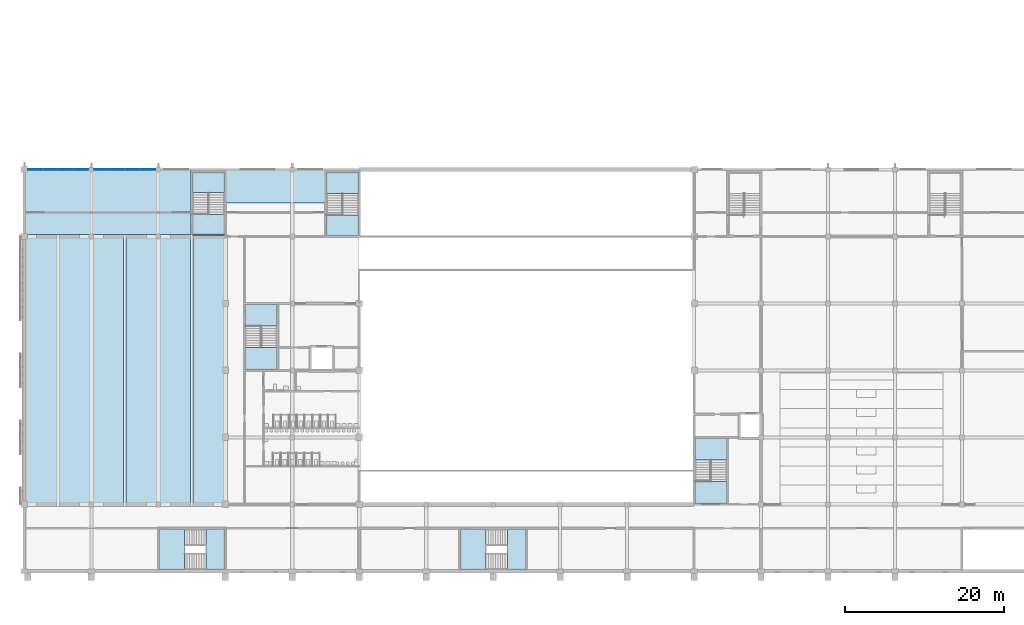
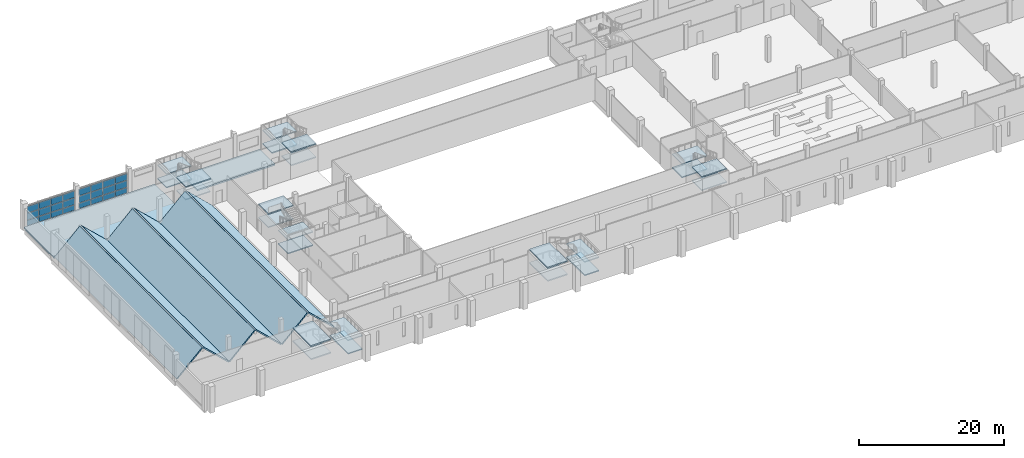
# One storey, part 11 of 56: 32 slabs, 24 plates, 8 elements without a shape of their own.
"""IFC4 building model written with IfcOpenShell, lengths in metres."""

from ifc_helpers import new_model, si_unit, direction, frame, origin, origin_2d, place, context, subcontext, project, spatial, polyline, rectangle, outline, extrude, material, layer, layer_set, type_object, element, aggregate, save


model = new_model("IFC4")

# Units and contexts
model_context = context("Model", 3, precision=1e-05, world=origin(), true_north=direction((0.0, 1.0)))
body_context = subcontext(model_context, "Body", "Model", "MODEL_VIEW")
ifc_project = project(units=[si_unit("LENGTHUNIT", "METRE"), si_unit("AREAUNIT", "SQUARE_METRE"), si_unit("VOLUMEUNIT", "CUBIC_METRE"), si_unit("PLANEANGLEUNIT", "RADIAN"), si_unit("MASSUNIT", "GRAM", prefix="KILO")], contexts=[model_context])

# Site, building, storey
site_placement = place(None, origin())
site = spatial("IfcSite", under=ifc_project, at=site_placement, CompositionType="ELEMENT")
building_placement = place(site_placement, origin())
building = spatial("IfcBuilding", under=site, at=building_placement, Name="Rulbaag Community and Learning Centre", CompositionType="ELEMENT")
storey_placement = place(building_placement, frame((0.0, 0.0, 9.89990234375)))
storey = spatial("IfcBuildingStorey", under=building, at=storey_placement, Name="L02", CompositionType="ELEMENT", Elevation=9.89990234375)

# Curtain wall, plates
ifc_material_1 = material(Name="Aluminium", Category="aluminium")
ifc_layer_1 = layer(ifc_material_1, 0.14990234375)
ifc_layer_set_1 = layer_set([ifc_layer_1], Name="CW-L")
curtain_wall_type = type_object("IfcCurtainWallType", Name="CW-L", PredefinedType="USERDEFINED", material=ifc_layer_set_1)
curtain_wall_1_placement = place(storey_placement, origin())
curtain_wall_1 = element("IfcCurtainWall", 1, at=curtain_wall_1_placement, inside=storey, type_object=curtain_wall_type, Name="GL-L02-01", ObjectType="STICK CURTAIN WALL", PredefinedType="USERDEFINED")
ifc_layer_2 = layer(ifc_material_1, 0.050048828125)
ifc_layer_set_2 = layer_set([ifc_layer_2], Name="CW-L-SPN")
plate_type_1 = type_object("IfcPlateType", Name="CW-L-SPN", PredefinedType="CURTAIN_PANEL", material=ifc_layer_set_2)
plate_1_placement = place(storey_placement, frame((1.378662109375, 50.39990234375, 0.06494140625), z_axis=(0.0, 0.0, 1.0), x_axis=(1.0, 0.0, 0.0)))
plate_1 = element("IfcPlate", 2, at=plate_1_placement, type_object=plate_type_1, Name="GL spandrel panel", PredefinedType="CURTAIN_PANEL", context=body_context, shape_type="SweptSolid", body=[
    extrude(rectangle(XDim=1.827392578125, YDim=0.050048828125, at=origin_2d()), origin(), (0.0, 0.0, 1.0), 0.902587890625),
])
plate_2_placement = place(storey_placement, frame((1.378662109375, 50.39990234375, 2.232666015625), z_axis=(0.0, 0.0, 1.0), x_axis=(1.0, 0.0, 0.0)))
plate_2 = element("IfcPlate", 3, at=plate_2_placement, type_object=plate_type_1, Name="GL spandrel panel", PredefinedType="CURTAIN_PANEL", context=body_context, shape_type="SweptSolid", body=[
    extrude(rectangle(XDim=1.827392578125, YDim=0.050048828125, at=origin_2d()), origin(), (0.0, 0.0, 1.0), 1.1025390625),
])
plate_3_placement = place(storey_placement, frame((3.28759765625, 50.39990234375, 0.06494140625), z_axis=(0.0, 0.0, 1.0), x_axis=(1.0, 0.0, 0.0)))
plate_3 = element("IfcPlate", 4, at=plate_3_placement, type_object=plate_type_1, Name="GL spandrel panel", PredefinedType="CURTAIN_PANEL", context=body_context, shape_type="SweptSolid", body=[
    extrude(rectangle(XDim=1.860107421875, YDim=0.050048828125, at=origin_2d()), origin(), (0.0, 0.0, 1.0), 0.902587890625),
])
plate_4_placement = place(storey_placement, frame((3.28759765625, 50.39990234375, 2.232666015625), z_axis=(0.0, 0.0, 1.0), x_axis=(1.0, 0.0, 0.0)))
plate_4 = element("IfcPlate", 5, at=plate_4_placement, type_object=plate_type_1, Name="GL spandrel panel", PredefinedType="CURTAIN_PANEL", context=body_context, shape_type="SweptSolid", body=[
    extrude(rectangle(XDim=1.860107421875, YDim=0.050048828125, at=origin_2d()), origin(), (0.0, 0.0, 1.0), 1.1025390625),
])
plate_5_placement = place(storey_placement, frame((5.21240234375, 50.39990234375, 0.06494140625), z_axis=(0.0, 0.0, 1.0), x_axis=(1.0, 0.0, 0.0)))
plate_5 = element("IfcPlate", 6, at=plate_5_placement, type_object=plate_type_1, Name="GL spandrel panel", PredefinedType="CURTAIN_PANEL", context=body_context, shape_type="SweptSolid", body=[
    extrude(rectangle(XDim=1.860107421875, YDim=0.050048828125, at=origin_2d()), origin(), (0.0, 0.0, 1.0), 0.902587890625),
])
plate_6_placement = place(storey_placement, frame((5.21240234375, 50.39990234375, 2.232666015625), z_axis=(0.0, 0.0, 1.0), x_axis=(1.0, 0.0, 0.0)))
plate_6 = element("IfcPlate", 7, at=plate_6_placement, type_object=plate_type_1, Name="GL spandrel panel", PredefinedType="CURTAIN_PANEL", context=body_context, shape_type="SweptSolid", body=[
    extrude(rectangle(XDim=1.860107421875, YDim=0.050048828125, at=origin_2d()), origin(), (0.0, 0.0, 1.0), 1.1025390625),
])
plate_7_placement = place(storey_placement, frame((7.121337890625, 50.39990234375, 0.06494140625), z_axis=(0.0, 0.0, 1.0), x_axis=(1.0, 0.0, 0.0)))
plate_7 = element("IfcPlate", 8, at=plate_7_placement, type_object=plate_type_1, Name="GL spandrel panel", PredefinedType="CURTAIN_PANEL", context=body_context, shape_type="SweptSolid", body=[
    extrude(rectangle(XDim=1.827392578125, YDim=0.050048828125, at=origin_2d()), origin(), (0.0, 0.0, 1.0), 0.902587890625),
])
plate_8_placement = place(storey_placement, frame((7.121337890625, 50.39990234375, 2.232666015625), z_axis=(0.0, 0.0, 1.0), x_axis=(1.0, 0.0, 0.0)))
plate_8 = element("IfcPlate", 9, at=plate_8_placement, type_object=plate_type_1, Name="GL spandrel panel", PredefinedType="CURTAIN_PANEL", context=body_context, shape_type="SweptSolid", body=[
    extrude(rectangle(XDim=1.827392578125, YDim=0.050048828125, at=origin_2d()), origin(), (0.0, 0.0, 1.0), 1.1025390625),
])

curtain_wall_2_placement = place(storey_placement, origin())
curtain_wall_2 = element("IfcCurtainWall", 10, at=curtain_wall_2_placement, inside=storey, type_object=curtain_wall_type, Name="GL-L02-02", ObjectType="STICK CURTAIN WALL", PredefinedType="USERDEFINED")
plate_9_placement = place(storey_placement, frame((9.691162109375, 50.39990234375, 0.06494140625), z_axis=(0.0, 0.0, 1.0), x_axis=(1.0, 0.0, 0.0)))
plate_9 = element("IfcPlate", 11, at=plate_9_placement, type_object=plate_type_1, Name="GL spandrel panel", PredefinedType="CURTAIN_PANEL", context=body_context, shape_type="SweptSolid", body=[
    extrude(rectangle(XDim=1.8525390625, YDim=0.050048828125, at=origin_2d()), origin(), (0.0, 0.0, 1.0), 0.902587890625),
])
plate_10_placement = place(storey_placement, frame((9.691162109375, 50.39990234375, 2.232666015625), z_axis=(0.0, 0.0, 1.0), x_axis=(1.0, 0.0, 0.0)))
plate_10 = element("IfcPlate", 12, at=plate_10_placement, type_object=plate_type_1, Name="GL spandrel panel", PredefinedType="CURTAIN_PANEL", context=body_context, shape_type="SweptSolid", body=[
    extrude(rectangle(XDim=1.8525390625, YDim=0.050048828125, at=origin_2d()), origin(), (0.0, 0.0, 1.0), 1.1025390625),
])
plate_11_placement = place(storey_placement, frame((11.625, 50.39990234375, 0.06494140625), z_axis=(0.0, 0.0, 1.0), x_axis=(1.0, 0.0, 0.0)))
plate_11 = element("IfcPlate", 13, at=plate_11_placement, type_object=plate_type_1, Name="GL spandrel panel", PredefinedType="CURTAIN_PANEL", context=body_context, shape_type="SweptSolid", body=[
    extrude(rectangle(XDim=1.885009765625, YDim=0.050048828125, at=origin_2d()), origin(), (0.0, 0.0, 1.0), 0.902587890625),
])
plate_12_placement = place(storey_placement, frame((11.625, 50.39990234375, 2.232666015625), z_axis=(0.0, 0.0, 1.0), x_axis=(1.0, 0.0, 0.0)))
plate_12 = element("IfcPlate", 14, at=plate_12_placement, type_object=plate_type_1, Name="GL spandrel panel", PredefinedType="CURTAIN_PANEL", context=body_context, shape_type="SweptSolid", body=[
    extrude(rectangle(XDim=1.885009765625, YDim=0.050048828125, at=origin_2d()), origin(), (0.0, 0.0, 1.0), 1.1025390625),
])
plate_13_placement = place(storey_placement, frame((13.574951171875, 50.39990234375, 0.06494140625), z_axis=(0.0, 0.0, 1.0), x_axis=(1.0, 0.0, 0.0)))
plate_13 = element("IfcPlate", 15, at=plate_13_placement, type_object=plate_type_1, Name="GL spandrel panel", PredefinedType="CURTAIN_PANEL", context=body_context, shape_type="SweptSolid", body=[
    extrude(rectangle(XDim=1.885009765625, YDim=0.050048828125, at=origin_2d()), origin(), (0.0, 0.0, 1.0), 0.902587890625),
])
plate_14_placement = place(storey_placement, frame((13.574951171875, 50.39990234375, 2.232666015625), z_axis=(0.0, 0.0, 1.0), x_axis=(1.0, 0.0, 0.0)))
plate_14 = element("IfcPlate", 16, at=plate_14_placement, type_object=plate_type_1, Name="GL spandrel panel", PredefinedType="CURTAIN_PANEL", context=body_context, shape_type="SweptSolid", body=[
    extrude(rectangle(XDim=1.885009765625, YDim=0.050048828125, at=origin_2d()), origin(), (0.0, 0.0, 1.0), 1.1025390625),
])
plate_15_placement = place(storey_placement, frame((15.5087890625, 50.39990234375, 0.06494140625), z_axis=(0.0, 0.0, 1.0), x_axis=(1.0, 0.0, 0.0)))
plate_15 = element("IfcPlate", 17, at=plate_15_placement, type_object=plate_type_1, Name="GL spandrel panel", PredefinedType="CURTAIN_PANEL", context=body_context, shape_type="SweptSolid", body=[
    extrude(rectangle(XDim=1.8525390625, YDim=0.050048828125, at=origin_2d()), origin(), (0.0, 0.0, 1.0), 0.902587890625),
])
plate_16_placement = place(storey_placement, frame((15.5087890625, 50.39990234375, 2.232666015625), z_axis=(0.0, 0.0, 1.0), x_axis=(1.0, 0.0, 0.0)))
plate_16 = element("IfcPlate", 18, at=plate_16_placement, type_object=plate_type_1, Name="GL spandrel panel", PredefinedType="CURTAIN_PANEL", context=body_context, shape_type="SweptSolid", body=[
    extrude(rectangle(XDim=1.8525390625, YDim=0.050048828125, at=origin_2d()), origin(), (0.0, 0.0, 1.0), 1.1025390625),
])

# Plate
ifc_material_2 = material(Name="Glass", Category="glass")
ifc_layer_3 = layer(ifc_material_2, 0.031982421875)
ifc_layer_set_3 = layer_set([ifc_layer_3], Name="CW-L-VIS")
plate_type_2 = type_object("IfcPlateType", Name="CW-L-VIS", PredefinedType="CURTAIN_PANEL", material=ifc_layer_set_3)
plate_17_placement = place(storey_placement, frame((1.378662109375, 50.39990234375, 1.03271484375), z_axis=(0.0, 0.0, 1.0), x_axis=(1.0, 0.0, 0.0)))
plate_17 = element("IfcPlate", 19, at=plate_17_placement, type_object=plate_type_2, Name="GL vision panel", PredefinedType="CURTAIN_PANEL", context=body_context, shape_type="SweptSolid", body=[
    extrude(rectangle(XDim=1.827392578125, YDim=0.031982421875, at=origin_2d()), origin(), (0.0, 0.0, 1.0), 1.135009765625),
])

plate_18_placement = place(storey_placement, frame((3.28759765625, 50.39990234375, 1.03271484375), z_axis=(0.0, 0.0, 1.0), x_axis=(1.0, 0.0, 0.0)))
plate_18 = element("IfcPlate", 20, at=plate_18_placement, type_object=plate_type_2, Name="GL vision panel", PredefinedType="CURTAIN_PANEL", context=body_context, shape_type="SweptSolid", body=[
    extrude(rectangle(XDim=1.860107421875, YDim=0.031982421875, at=origin_2d()), origin(), (0.0, 0.0, 1.0), 1.135009765625),
])

plate_19_placement = place(storey_placement, frame((5.21240234375, 50.39990234375, 1.03271484375), z_axis=(0.0, 0.0, 1.0), x_axis=(1.0, 0.0, 0.0)))
plate_19 = element("IfcPlate", 21, at=plate_19_placement, type_object=plate_type_2, Name="GL vision panel", PredefinedType="CURTAIN_PANEL", context=body_context, shape_type="SweptSolid", body=[
    extrude(rectangle(XDim=1.860107421875, YDim=0.031982421875, at=origin_2d()), origin(), (0.0, 0.0, 1.0), 1.135009765625),
])

plate_20_placement = place(storey_placement, frame((7.121337890625, 50.39990234375, 1.03271484375), z_axis=(0.0, 0.0, 1.0), x_axis=(1.0, 0.0, 0.0)))
plate_20 = element("IfcPlate", 22, at=plate_20_placement, type_object=plate_type_2, Name="GL vision panel", PredefinedType="CURTAIN_PANEL", context=body_context, shape_type="SweptSolid", body=[
    extrude(rectangle(XDim=1.827392578125, YDim=0.031982421875, at=origin_2d()), origin(), (0.0, 0.0, 1.0), 1.135009765625),
])

aggregate(curtain_wall_1, [plate_1, plate_17, plate_2, plate_3, plate_18, plate_4, plate_5, plate_19, plate_6, plate_7, plate_20, plate_8])

plate_21_placement = place(storey_placement, frame((9.691162109375, 50.39990234375, 1.03271484375), z_axis=(0.0, 0.0, 1.0), x_axis=(1.0, 0.0, 0.0)))
plate_21 = element("IfcPlate", 23, at=plate_21_placement, type_object=plate_type_2, Name="GL vision panel", PredefinedType="CURTAIN_PANEL", context=body_context, shape_type="SweptSolid", body=[
    extrude(rectangle(XDim=1.8525390625, YDim=0.031982421875, at=origin_2d()), origin(), (0.0, 0.0, 1.0), 1.135009765625),
])

plate_22_placement = place(storey_placement, frame((11.625, 50.39990234375, 1.03271484375), z_axis=(0.0, 0.0, 1.0), x_axis=(1.0, 0.0, 0.0)))
plate_22 = element("IfcPlate", 24, at=plate_22_placement, type_object=plate_type_2, Name="GL vision panel", PredefinedType="CURTAIN_PANEL", context=body_context, shape_type="SweptSolid", body=[
    extrude(rectangle(XDim=1.885009765625, YDim=0.031982421875, at=origin_2d()), origin(), (0.0, 0.0, 1.0), 1.135009765625),
])

plate_23_placement = place(storey_placement, frame((13.574951171875, 50.39990234375, 1.03271484375), z_axis=(0.0, 0.0, 1.0), x_axis=(1.0, 0.0, 0.0)))
plate_23 = element("IfcPlate", 25, at=plate_23_placement, type_object=plate_type_2, Name="GL vision panel", PredefinedType="CURTAIN_PANEL", context=body_context, shape_type="SweptSolid", body=[
    extrude(rectangle(XDim=1.885009765625, YDim=0.031982421875, at=origin_2d()), origin(), (0.0, 0.0, 1.0), 1.135009765625),
])

plate_24_placement = place(storey_placement, frame((15.5087890625, 50.39990234375, 1.03271484375), z_axis=(0.0, 0.0, 1.0), x_axis=(1.0, 0.0, 0.0)))
plate_24 = element("IfcPlate", 26, at=plate_24_placement, type_object=plate_type_2, Name="GL vision panel", PredefinedType="CURTAIN_PANEL", context=body_context, shape_type="SweptSolid", body=[
    extrude(rectangle(XDim=1.8525390625, YDim=0.031982421875, at=origin_2d()), origin(), (0.0, 0.0, 1.0), 1.135009765625),
])

aggregate(curtain_wall_2, [plate_9, plate_21, plate_10, plate_11, plate_22, plate_12, plate_13, plate_23, plate_14, plate_15, plate_24, plate_16])

# Stair, slabs
ifc_material_3 = material(Name="Concrete M40", Category="concrete")
stair_type_1 = type_object("IfcStairType", Name="ST-2000 STAIR 2000 WIDE", PredefinedType="HALF_TURN_STAIR", material=ifc_material_3)
stair_1_placement = place(storey_placement, origin())
stair_1 = element("IfcStair", 27, at=stair_1_placement, inside=storey, type_object=stair_type_1, Name="Stair ST-H0 L02", PredefinedType="HALF_TURN_STAIR")
ifc_layer_4 = layer(ifc_material_3, 0.179931640625)
ifc_layer_set_4 = layer_set([ifc_layer_4], Name="LN-180 LANDING 180 Concrete M40")
slab_type_1 = type_object("IfcSlabType", Name="LN-180 LANDING 180 Concrete M40", PredefinedType="LANDING", material=ifc_layer_set_4)
slab_1_placement = place(storey_placement, frame((0.0, 0.0, 0.945068359375)))
slab_1 = element("IfcSlab", 28, at=slab_1_placement, type_object=slab_type_1, Name="ST-H0 landing 1", PredefinedType="LANDING", context=body_context, shape_type="SweptSolid", body=[
    extrude(outline(polyline([(21.10009765625, 47.487548828125), (21.10009765625, 50.02490234375), (25.10009765625, 50.02490234375), (25.10009765625, 47.487548828125), (21.10009765625, 47.487548828125)])), origin(), (0.0, 0.0, 1.0), 0.179931640625),
])
slab_2_placement = place(storey_placement, frame((0.0, 0.0, 2.070068359375)))
slab_2 = element("IfcSlab", 29, at=slab_2_placement, type_object=slab_type_1, Name="ST-H0 landing 2", PredefinedType="LANDING", context=body_context, shape_type="SweptSolid", body=[
    extrude(outline(polyline([(21.10009765625, 42.25), (21.10009765625, 44.78759765625), (25.10009765625, 44.78759765625), (25.10009765625, 42.25), (21.10009765625, 42.25)])), origin(), (0.0, 0.0, 1.0), 0.179931640625),
])
slab_3_placement = place(storey_placement, frame((0.0, 0.0, 3.195068359375)))
slab_3 = element("IfcSlab", 30, at=slab_3_placement, type_object=slab_type_1, Name="ST-H0 landing 3", PredefinedType="LANDING", context=body_context, shape_type="SweptSolid", body=[
    extrude(outline(polyline([(21.10009765625, 47.487548828125), (21.10009765625, 50.02490234375), (25.10009765625, 50.02490234375), (25.10009765625, 47.487548828125), (21.10009765625, 47.487548828125)])), origin(), (0.0, 0.0, 1.0), 0.179931640625),
])
slab_4_placement = place(storey_placement, frame((0.0, 0.0, 4.320068359375)))
slab_4 = element("IfcSlab", 31, at=slab_4_placement, type_object=slab_type_1, Name="ST-H0 landing 4", PredefinedType="LANDING", context=body_context, shape_type="SweptSolid", body=[
    extrude(outline(polyline([(21.10009765625, 42.10009765625), (21.10009765625, 44.78759765625), (25.10009765625, 44.78759765625), (25.10009765625, 42.10009765625), (21.10009765625, 42.10009765625)])), origin(), (0.0, 0.0, 1.0), 0.179931640625),
])
aggregate(stair_1, [slab_1, slab_2, slab_3, slab_4])

stair_2_placement = place(storey_placement, origin())
stair_2 = element("IfcStair", 32, at=stair_2_placement, inside=storey, type_object=stair_type_1, Name="Stair ST-H1 L02", PredefinedType="HALF_TURN_STAIR")
slab_5_placement = place(storey_placement, frame((0.0, 0.0, 0.945068359375)))
slab_5 = element("IfcSlab", 33, at=slab_5_placement, type_object=slab_type_1, Name="ST-H1 landing 1", PredefinedType="LANDING", context=body_context, shape_type="SweptSolid", body=[
    extrude(outline(polyline([(27.699951171875, 25.300048828125), (27.699951171875, 28.050048828125), (31.699951171875, 28.050048828125), (31.699951171875, 25.300048828125), (27.699951171875, 25.300048828125)])), origin(), (0.0, 0.0, 1.0), 0.179931640625),
])
slab_6_placement = place(storey_placement, frame((0.0, 0.0, 2.070068359375)))
slab_6 = element("IfcSlab", 34, at=slab_6_placement, type_object=slab_type_1, Name="ST-H1 landing 2", PredefinedType="LANDING", context=body_context, shape_type="SweptSolid", body=[
    extrude(outline(polyline([(27.699951171875, 30.75), (27.699951171875, 33.5), (31.699951171875, 33.5), (31.699951171875, 30.75), (27.699951171875, 30.75)])), origin(), (0.0, 0.0, 1.0), 0.179931640625),
])
slab_7_placement = place(storey_placement, frame((0.0, 0.0, 3.195068359375)))
slab_7 = element("IfcSlab", 35, at=slab_7_placement, type_object=slab_type_1, Name="ST-H1 landing 3", PredefinedType="LANDING", context=body_context, shape_type="SweptSolid", body=[
    extrude(outline(polyline([(27.699951171875, 25.300048828125), (27.699951171875, 28.050048828125), (31.699951171875, 28.050048828125), (31.699951171875, 25.300048828125), (27.699951171875, 25.300048828125)])), origin(), (0.0, 0.0, 1.0), 0.179931640625),
])
slab_8_placement = place(storey_placement, frame((0.0, 0.0, 4.320068359375)))
slab_8 = element("IfcSlab", 36, at=slab_8_placement, type_object=slab_type_1, Name="ST-H1 landing 4", PredefinedType="LANDING", context=body_context, shape_type="SweptSolid", body=[
    extrude(outline(polyline([(27.699951171875, 30.75), (27.699951171875, 33.5), (31.699951171875, 33.5), (31.699951171875, 30.75), (27.699951171875, 30.75)])), origin(), (0.0, 0.0, 1.0), 0.179931640625),
])
aggregate(stair_2, [slab_5, slab_6, slab_7, slab_8])

stair_3_placement = place(storey_placement, origin())
stair_3 = element("IfcStair", 37, at=stair_3_placement, inside=storey, type_object=stair_type_1, Name="Stair ST-H2 L02", PredefinedType="HALF_TURN_STAIR")
slab_9_placement = place(storey_placement, frame((0.0, 0.0, 0.945068359375)))
slab_9 = element("IfcSlab", 38, at=slab_9_placement, type_object=slab_type_1, Name="ST-H2 landing 1", PredefinedType="LANDING", context=body_context, shape_type="SweptSolid", body=[
    extrude(outline(polyline([(84.10009765625, 13.949951171875), (84.10009765625, 16.699951171875), (88.10009765625, 16.699951171875), (88.10009765625, 13.949951171875), (84.10009765625, 13.949951171875)])), origin(), (0.0, 0.0, 1.0), 0.179931640625),
])
slab_10_placement = place(storey_placement, frame((0.0, 0.0, 2.070068359375)))
slab_10 = element("IfcSlab", 39, at=slab_10_placement, type_object=slab_type_1, Name="ST-H2 landing 2", PredefinedType="LANDING", context=body_context, shape_type="SweptSolid", body=[
    extrude(outline(polyline([(84.10009765625, 8.5), (84.10009765625, 11.25), (88.10009765625, 11.25), (88.10009765625, 8.5), (84.10009765625, 8.5)])), origin(), (0.0, 0.0, 1.0), 0.179931640625),
])
slab_11_placement = place(storey_placement, frame((0.0, 0.0, 3.195068359375)))
slab_11 = element("IfcSlab", 40, at=slab_11_placement, type_object=slab_type_1, Name="ST-H2 landing 3", PredefinedType="LANDING", context=body_context, shape_type="SweptSolid", body=[
    extrude(outline(polyline([(84.10009765625, 13.949951171875), (84.10009765625, 16.699951171875), (88.10009765625, 16.699951171875), (88.10009765625, 13.949951171875), (84.10009765625, 13.949951171875)])), origin(), (0.0, 0.0, 1.0), 0.179931640625),
])
slab_12_placement = place(storey_placement, frame((0.0, 0.0, 4.320068359375)))
slab_12 = element("IfcSlab", 41, at=slab_12_placement, type_object=slab_type_1, Name="ST-H2 landing 4", PredefinedType="LANDING", context=body_context, shape_type="SweptSolid", body=[
    extrude(outline(polyline([(84.10009765625, 8.5), (84.10009765625, 11.25), (88.10009765625, 11.25), (88.10009765625, 8.5), (84.10009765625, 8.5)])), origin(), (0.0, 0.0, 1.0), 0.179931640625),
])
aggregate(stair_3, [slab_9, slab_10, slab_11, slab_12])

stair_4_placement = place(storey_placement, origin())
stair_4 = element("IfcStair", 42, at=stair_4_placement, inside=storey, type_object=stair_type_1, Name="Stair ST-H5 L02", PredefinedType="HALF_TURN_STAIR")
slab_13_placement = place(storey_placement, frame((0.0, 0.0, 0.945068359375)))
slab_13 = element("IfcSlab", 43, at=slab_13_placement, type_object=slab_type_1, Name="ST-H5 landing 1", PredefinedType="LANDING", context=body_context, shape_type="SweptSolid", body=[
    extrude(outline(polyline([(37.89990234375, 47.41259765625), (37.89990234375, 50.02490234375), (41.89990234375, 50.02490234375), (41.89990234375, 47.41259765625), (37.89990234375, 47.41259765625)])), origin(), (0.0, 0.0, 1.0), 0.179931640625),
])
slab_14_placement = place(storey_placement, frame((0.0, 0.0, 2.070068359375)))
slab_14 = element("IfcSlab", 44, at=slab_14_placement, type_object=slab_type_1, Name="ST-H5 landing 2", PredefinedType="LANDING", context=body_context, shape_type="SweptSolid", body=[
    extrude(outline(polyline([(37.89990234375, 42.10009765625), (37.89990234375, 44.71240234375), (41.89990234375, 44.71240234375), (41.89990234375, 42.10009765625), (37.89990234375, 42.10009765625)])), origin(), (0.0, 0.0, 1.0), 0.179931640625),
])
slab_15_placement = place(storey_placement, frame((0.0, 0.0, 3.195068359375)))
slab_15 = element("IfcSlab", 45, at=slab_15_placement, type_object=slab_type_1, Name="ST-H5 landing 3", PredefinedType="LANDING", context=body_context, shape_type="SweptSolid", body=[
    extrude(outline(polyline([(37.89990234375, 47.41259765625), (37.89990234375, 50.02490234375), (41.89990234375, 50.02490234375), (41.89990234375, 47.41259765625), (37.89990234375, 47.41259765625)])), origin(), (0.0, 0.0, 1.0), 0.179931640625),
])
slab_16_placement = place(storey_placement, frame((0.0, 0.0, 4.320068359375)))
slab_16 = element("IfcSlab", 46, at=slab_16_placement, type_object=slab_type_1, Name="ST-H5 landing 4", PredefinedType="LANDING", context=body_context, shape_type="SweptSolid", body=[
    extrude(outline(polyline([(37.89990234375, 42.10009765625), (37.89990234375, 44.71240234375), (41.89990234375, 44.71240234375), (41.89990234375, 42.10009765625), (37.89990234375, 42.10009765625)])), origin(), (0.0, 0.0, 1.0), 0.179931640625),
])
aggregate(stair_4, [slab_13, slab_14, slab_15, slab_16])

stair_type_2 = type_object("IfcStairType", Name="ST-2100 STAIR 2100 WIDE", PredefinedType="HALF_TURN_STAIR", material=ifc_material_3)
stair_5_placement = place(storey_placement, origin())
stair_5 = element("IfcStair", 47, at=stair_5_placement, inside=storey, type_object=stair_type_2, Name="Stair ST-H8 L02", PredefinedType="HALF_TURN_STAIR")
slab_17_placement = place(storey_placement, frame((0.0, 0.0, 0.945068359375)))
slab_17 = element("IfcSlab", 48, at=slab_17_placement, type_object=slab_type_1, Name="ST-H8 landing 1", PredefinedType="LANDING", context=body_context, shape_type="SweptSolid", body=[
    extrude(outline(polyline([(60.60009765625, 0.22509765625), (62.89990234375, 0.22509765625), (62.89990234375, 5.300048828125), (60.60009765625, 5.300048828125), (60.60009765625, 0.22509765625)])), origin(), (0.0, 0.0, 1.0), 0.179931640625),
])
slab_18_placement = place(storey_placement, frame((0.0, 0.0, 2.070068359375)))
slab_18 = element("IfcSlab", 49, at=slab_18_placement, type_object=slab_type_1, Name="ST-H8 landing 2", PredefinedType="LANDING", context=body_context, shape_type="SweptSolid", body=[
    extrude(outline(polyline([(54.699951171875, 0.22509765625), (57.89990234375, 0.22509765625), (57.89990234375, 5.300048828125), (54.699951171875, 5.300048828125), (54.699951171875, 0.22509765625)])), origin(), (0.0, 0.0, 1.0), 0.179931640625),
])
slab_19_placement = place(storey_placement, frame((0.0, 0.0, 3.195068359375)))
slab_19 = element("IfcSlab", 50, at=slab_19_placement, type_object=slab_type_1, Name="ST-H8 landing 3", PredefinedType="LANDING", context=body_context, shape_type="SweptSolid", body=[
    extrude(outline(polyline([(60.60009765625, 0.22509765625), (62.89990234375, 0.22509765625), (62.89990234375, 5.300048828125), (60.60009765625, 5.300048828125), (60.60009765625, 0.22509765625)])), origin(), (0.0, 0.0, 1.0), 0.179931640625),
])
slab_20_placement = place(storey_placement, frame((0.0, 0.0, 4.320068359375)))
slab_20 = element("IfcSlab", 51, at=slab_20_placement, type_object=slab_type_1, Name="ST-H8 landing 4", PredefinedType="LANDING", context=body_context, shape_type="SweptSolid", body=[
    extrude(outline(polyline([(54.699951171875, 0.22509765625), (57.89990234375, 0.22509765625), (57.89990234375, 5.300048828125), (54.699951171875, 5.300048828125), (54.699951171875, 0.22509765625)])), origin(), (0.0, 0.0, 1.0), 0.179931640625),
])
aggregate(stair_5, [slab_17, slab_18, slab_19, slab_20])

stair_6_placement = place(storey_placement, origin())
stair_6 = element("IfcStair", 52, at=stair_6_placement, inside=storey, type_object=stair_type_2, Name="Stair ST-H9 L02", PredefinedType="HALF_TURN_STAIR")
slab_21_placement = place(storey_placement, frame((0.0, 0.0, 0.945068359375)))
slab_21 = element("IfcSlab", 53, at=slab_21_placement, type_object=slab_type_1, Name="ST-H9 landing 1", PredefinedType="LANDING", context=body_context, shape_type="SweptSolid", body=[
    extrude(outline(polyline([(22.800048828125, 0.22509765625), (25.10009765625, 0.22509765625), (25.10009765625, 5.300048828125), (22.800048828125, 5.300048828125), (22.800048828125, 0.22509765625)])), origin(), (0.0, 0.0, 1.0), 0.179931640625),
])
slab_22_placement = place(storey_placement, frame((0.0, 0.0, 2.070068359375)))
slab_22 = element("IfcSlab", 54, at=slab_22_placement, type_object=slab_type_1, Name="ST-H9 landing 2", PredefinedType="LANDING", context=body_context, shape_type="SweptSolid", body=[
    extrude(outline(polyline([(16.89990234375, 0.22509765625), (20.10009765625, 0.22509765625), (20.10009765625, 5.300048828125), (16.89990234375, 5.300048828125), (16.89990234375, 0.22509765625)])), origin(), (0.0, 0.0, 1.0), 0.179931640625),
])
slab_23_placement = place(storey_placement, frame((0.0, 0.0, 3.195068359375)))
slab_23 = element("IfcSlab", 55, at=slab_23_placement, type_object=slab_type_1, Name="ST-H9 landing 3", PredefinedType="LANDING", context=body_context, shape_type="SweptSolid", body=[
    extrude(outline(polyline([(22.800048828125, 0.22509765625), (25.10009765625, 0.22509765625), (25.10009765625, 5.300048828125), (22.800048828125, 5.300048828125), (22.800048828125, 0.22509765625)])), origin(), (0.0, 0.0, 1.0), 0.179931640625),
])
slab_24_placement = place(storey_placement, frame((0.0, 0.0, 4.320068359375)))
slab_24 = element("IfcSlab", 56, at=slab_24_placement, type_object=slab_type_1, Name="ST-H9 landing 4", PredefinedType="LANDING", context=body_context, shape_type="SweptSolid", body=[
    extrude(outline(polyline([(16.89990234375, 0.22509765625), (20.10009765625, 0.22509765625), (20.10009765625, 5.300048828125), (16.89990234375, 5.300048828125), (16.89990234375, 0.22509765625)])), origin(), (0.0, 0.0, 1.0), 0.179931640625),
])
aggregate(stair_6, [slab_21, slab_22, slab_23, slab_24])

# Slabs
ifc_layer_5 = layer(ifc_material_3, 0.25)
ifc_layer_set_5 = layer_set([ifc_layer_5], Name="S10 Floor slab 250 Concrete M40")
slab_type_2 = type_object("IfcSlabType", Name="S10 Floor slab 250 Concrete M40", PredefinedType="FLOOR", material=ifc_layer_set_5)
slab_25_placement = place(storey_placement, frame((0.0, 0.0, -0.25)))
element("IfcSlab", 57, at=slab_25_placement, inside=storey, type_object=slab_type_2, Name="SL-L02-A02", PredefinedType="FLOOR", context=body_context, shape_type="SweptSolid", body=[
    extrude(outline(polyline([(25.300048828125, 46.22509765625), (25.300048828125, 50.39990234375), (37.699951171875, 50.39990234375), (37.699951171875, 46.22509765625), (25.300048828125, 46.22509765625)])), origin(), (0.0, 0.0, 1.0), 0.25),
])
slab_26_placement = place(storey_placement, frame((0.0, 0.0, -0.25)))
element("IfcSlab", 58, at=slab_26_placement, inside=storey, type_object=slab_type_2, Name="SL-L02-A03", PredefinedType="FLOOR", context=body_context, shape_type="SweptSolid", body=[
    extrude(outline(polyline([(20.89990234375, 50.39990234375), (20.89990234375, 42.25), (0.0, 42.25), (0.0, 41.93994140625), (-0.02294921875, 41.944580078125), (-0.04638671875, 41.9619140625), (-0.055419921875, 41.97705078125), (-0.059814453125, 41.994140625), (-0.06005859375, 42.25), (-0.055419921875, 42.27294921875), (-0.04248046875, 42.29248046875), (-0.02294921875, 42.305419921875), (0.0, 42.31005859375), (0.0, 50.39990234375), (20.89990234375, 50.39990234375)])), origin(), (0.0, 0.0, 1.0), 0.25),
])
ifc_layer_6 = layer(ifc_material_3, 0.199951171875)
ifc_layer_set_6 = layer_set([ifc_layer_6], Name="S4 Folded roof plate 200 Concrete M40")
slab_type_3 = type_object("IfcSlabType", Name="S4 Folded roof plate 200 Concrete M40", PredefinedType="ROOF", material=ifc_layer_set_6)
for number, where, z_axis, x_axis, name in (
    (59, (0.0, 8.14990234375, 0.0), (-0.689661693038, 0.0, 0.724131720861), (0.724131720861, 0.0, 0.689661693038), "SL-FP-P1a"),
    (60, (4.337890625, 8.14990234375, 3.86865234375), (0.689661693038, 0.0, 0.724131720861), (0.724131720861, 0.0, -0.689661693038), "SL-FP-P1b"),
):
    element("IfcSlab", number, at=place(storey_placement, frame(where, z_axis=z_axis, x_axis=x_axis)), inside=storey, type_object=slab_type_3, Name=name, PredefinedType="ROOF", context=body_context, shape_type="SweptSolid", body=[
        extrude(outline(polyline([(0.0, 0.0), (5.6094928612188015, 0.0), (5.6094928612188015, 33.85009765625), (0.0, 33.85009765625), (0.0, 0.0)])), origin(), (0.0, 0.0, -1.0), 0.199951171875),
    ])
slab_27_placement = place(storey_placement, frame((8.39990234375, 8.14990234375, 0.0), z_axis=(-0.689639957887, 0.0, 0.724152420755), x_axis=(0.724152420755, 0.0, 0.689639957887)))
element("IfcSlab", 61, at=slab_27_placement, inside=storey, type_object=slab_type_3, Name="SL-FP-P2a", PredefinedType="ROOF", context=body_context, shape_type="SweptSolid", body=[
    extrude(outline(polyline([(0.0, 0.0), (5.6096696537165975, 0.0), (5.6096696537165975, 33.85009765625), (0.0, 33.85009765625), (0.0, 0.0)])), origin(), (0.0, 0.0, -1.0), 0.199951171875),
])
for number, where, z_axis, x_axis, name in (
    (62, (12.738037109375, 8.14990234375, 3.86865234375), (0.689661693038, 0.0, 0.724131720861), (0.724131720861, 0.0, -0.689661693038), "SL-FP-P2b"),
    (63, (16.800048828125, 8.14990234375, 0.0), (-0.689661693038, 0.0, 0.724131720861), (0.724131720861, 0.0, 0.689661693038), "SL-FP-P3a"),
    (64, (21.137939453125, 8.14990234375, 3.86865234375), (0.689661693038, 0.0, 0.724131720861), (0.724131720861, 0.0, -0.689661693038), "SL-FP-P3b"),
):
    element("IfcSlab", number, at=place(storey_placement, frame(where, z_axis=z_axis, x_axis=x_axis)), inside=storey, type_object=slab_type_3, Name=name, PredefinedType="ROOF", context=body_context, shape_type="SweptSolid", body=[
        extrude(outline(polyline([(0.0, 0.0), (5.6094928612188015, 0.0), (5.6094928612188015, 33.85009765625), (0.0, 33.85009765625), (0.0, 0.0)])), origin(), (0.0, 0.0, -1.0), 0.199951171875),
    ])

save(model, "model.ifc")
